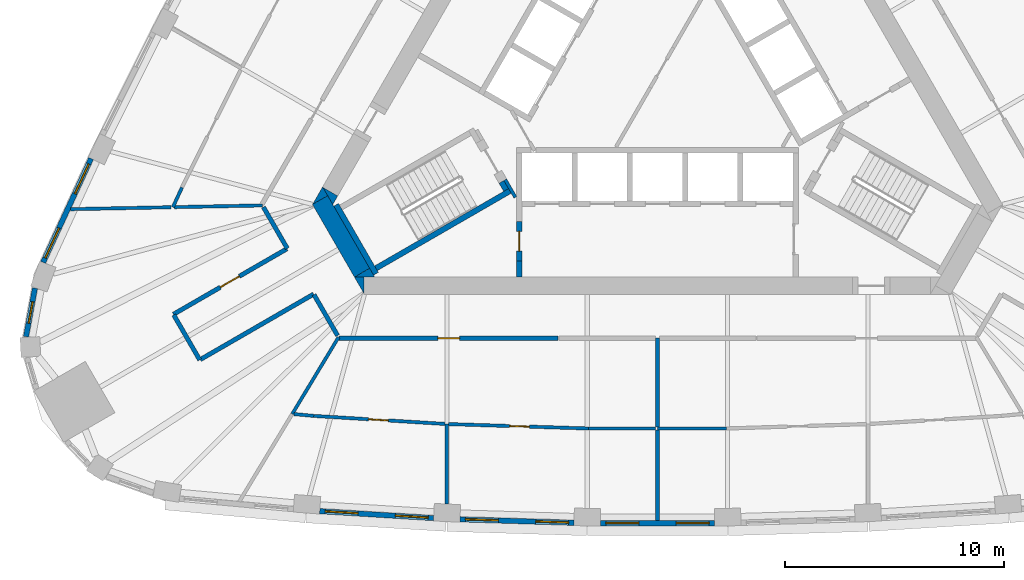
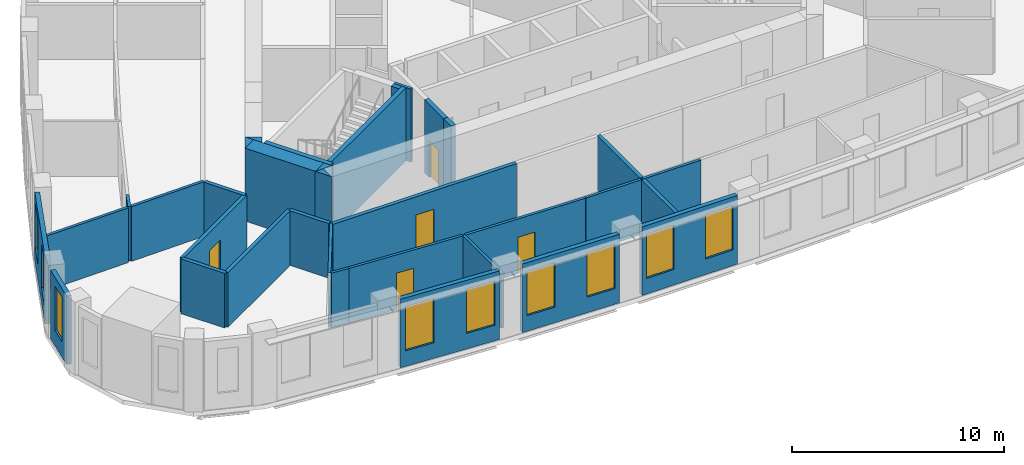
# One storey, part 3 of 10: 34 walls, 9 windows, 5 doors, 14 openings.
"""IFC4 building model written with IfcOpenShell, lengths in metres."""

from ifc_helpers import new_model, si_unit, direction, frame, frame_2d, origin, place, context, subcontext, project, spatial, polyline, rectangle, outline, extrude, material, layer, layer_set, type_object, element, fill, save


model = new_model("IFC4")

# Units and contexts
model_context = context("Model", 3, precision=1e-05, world=origin(), true_north=direction((0.0, 1.0)))
body_context = subcontext(model_context, "Body", "Model", "MODEL_VIEW")
ifc_project = project(units=[si_unit("LENGTHUNIT", "METRE"), si_unit("AREAUNIT", "SQUARE_METRE"), si_unit("VOLUMEUNIT", "CUBIC_METRE"), si_unit("PLANEANGLEUNIT", "RADIAN"), si_unit("MASSUNIT", "GRAM", prefix="KILO")], contexts=[model_context])

# Site, building, storey
site_placement = place(None, origin())
site = spatial("IfcSite", under=ifc_project, at=site_placement, CompositionType="ELEMENT")
building_placement = place(site_placement, origin())
building = spatial("IfcBuilding", under=site, at=building_placement, Name="Mestral Congress Tower", CompositionType="ELEMENT")
storey_placement = place(building_placement, frame((0.0, 0.0, 162.60009765625)))
storey = spatial("IfcBuildingStorey", under=building, at=storey_placement, Name="L38", CompositionType="ELEMENT", Elevation=162.60009765625)

# Walls
ifc_material_1 = material(Name="Concrete C60/75", Category="concrete")
ifc_layer_1 = layer(ifc_material_1, 0.800048828125)
ifc_layer_set_1 = layer_set([ifc_layer_1], Name="Concrete C60/75")
wall_type_1 = type_object("IfcWallType", Name="Core wall RC 800", PredefinedType="SOLIDWALL", material=ifc_layer_set_1)
placement = place(storey_placement, origin())
element("IfcWall", 1, at=placement, inside=storey, type_object=wall_type_1, Name="L38 core wall", PredefinedType="SOLIDWALL", context=body_context, shape_type="SweptSolid", body=[
    extrude(outline(polyline([(-13.82763671875, -9.64990234375), (-13.379638671875, -9.64990234375), (-13.379638671875, -10.42578125), (-13.82763671875, -9.64990234375)])), origin(), (0.0, 0.0, 1.0), 4.199951171875),
])
wall_2_placement = place(storey_placement, frame((-15.38720703125, -6.148193359375, 0.0), z_axis=(0.0, 0.0, 1.0), x_axis=(0.499984020225, -0.866034629516, 0.0)))
element("IfcWall", 2, at=wall_2_placement, inside=storey, type_object=wall_type_1, Name="L38 core wall", PredefinedType="SOLIDWALL", context=body_context, shape_type="SweptSolid", body=[
    extrude(rectangle(XDim=3.824462890625, YDim=0.800048828125, at=frame_2d((1.912109375, 0.0))), origin(), (0.0, 0.0, 1.0), 4.199951171875),
])
element("IfcWall", 3, at=placement, inside=storey, type_object=wall_type_1, Name="L38 core wall", PredefinedType="SOLIDWALL", context=body_context, shape_type="SweptSolid", body=[
    extrude(outline(polyline([(-15.0419921875, -5.946533203125), (-15.728759765625, -6.343017578125), (-15.27099609375, -5.5498046875), (-15.0419921875, -5.946533203125)])), origin(), (0.0, 0.0, 1.0), 4.199951171875),
])
element("IfcWall", 4, at=placement, inside=storey, type_object=wall_type_1, Name="L38 core wall", PredefinedType="SOLIDWALL", context=body_context, shape_type="SweptSolid", body=[
    extrude(outline(polyline([(-12.90380859375, -9.64990234375), (-13.7998046875, -9.64990234375), (-13.127685546875, -9.261962890625), (-12.90380859375, -9.64990234375)])), origin(), (0.0, 0.0, 1.0), 4.199951171875),
])
element("IfcWall", 5, at=placement, inside=storey, type_object=wall_type_1, Name="L38 core wall", PredefinedType="SOLIDWALL", context=body_context, shape_type="SweptSolid", body=[
    extrude(outline(polyline([(-14.80908203125, -6.35009765625), (-15.2568359375, -5.57421875), (-14.5849609375, -5.9619140625), (-14.80908203125, -6.35009765625)])), origin(), (0.0, 0.0, 1.0), 4.199951171875),
])

# Wall, openings, windows
ifc_material_2 = material(Name="Precast concrete C40/50 with limestone facing", Category="masonry")
ifc_layer_2 = layer(ifc_material_2, 0.239990234375)
ifc_layer_set_2 = layer_set([ifc_layer_2], Name="Precast concrete C40/50 with limestone facing")
wall_type_2 = type_object("IfcWallType", Name="Facade stone wall 240", PredefinedType="SOLIDWALL", material=ifc_layer_set_2)
wall_6_placement = place(storey_placement, frame((-15.404541015625, -20.33837890625, 0.0), z_axis=(0.0, 0.0, 1.0), x_axis=(0.998135294646, -0.061040425794, 0.0)))
wall_6 = element("IfcWall", 6, at=wall_6_placement, inside=storey, type_object=wall_type_2, Name="Facade wall F0-01", PredefinedType="SOLIDWALL", context=body_context, shape_type="SweptSolid", body=[
    extrude(rectangle(XDim=5.20361328125, YDim=0.239990234375, at=frame_2d((2.601806640625, 0.0))), origin(), (0.0, 0.0, 1.0), 3.949951171875),
])
opening_1_placement = place(wall_6_placement, frame((0.248291015625, 0.0, 0.89990234375)))
opening_1 = element("IfcOpeningElement", 7, at=opening_1_placement, cuts=wall_6, Name="Opening W4", PredefinedType="OPENING", context=body_context, shape_type="SweptSolid", body=[
    extrude(rectangle(XDim=1.5, YDim=2.550048828125, at=frame_2d((0.75, 1.27490234375))), frame((0.0, 0.1298828125, 0.0), z_axis=(0.0, -1.0, 0.0), x_axis=(1.0, 0.0, 0.0)), (0.0, 0.0, 1.0), 0.260009765625),
])
opening_2_placement = place(wall_6_placement, frame((3.455078125, 0.0, 0.89990234375)))
opening_2 = element("IfcOpeningElement", 8, at=opening_2_placement, cuts=wall_6, Name="Opening W4", PredefinedType="OPENING", context=body_context, shape_type="SweptSolid", body=[
    extrude(rectangle(XDim=1.5, YDim=2.550048828125, at=frame_2d((0.75, 1.27490234375))), frame((0.0, 0.1298828125, 0.0), z_axis=(0.0, -1.0, 0.0), x_axis=(1.0, 0.0, 0.0)), (0.0, 0.0, 1.0), 0.260009765625),
])
ifc_material_3 = material(Name="Clear low-emissivity double glazing", Category="glass")
window_type_1 = type_object("IfcWindowType", Name="Facade punched window 1500 x 2550 sill 900", PartitioningType="SINGLE_PANEL", PredefinedType="WINDOW", material=ifc_material_3)
window_1_placement = place(opening_1_placement, origin())
window_1 = element("IfcWindow", 9, at=window_1_placement, inside=storey, type_object=window_type_1, Name="Window F0-01a", OverallHeight=2.550048828125, OverallWidth=1.5, PartitioningType="SINGLE_PANEL", PredefinedType="WINDOW", context=body_context, shape_type="SweptSolid", body=[
    extrude(rectangle(XDim=1.5, YDim=2.550048828125, at=frame_2d((0.75, 1.27490234375))), frame((0.0, 0.0400390625, 0.0), z_axis=(0.0, -1.0, 0.0), x_axis=(1.0, 0.0, 0.0)), (0.0, 0.0, 1.0), 0.06005859375),
])
fill(opening_1, window_1)
window_2_placement = place(opening_2_placement, origin())
window_2 = element("IfcWindow", 10, at=window_2_placement, inside=storey, type_object=window_type_1, Name="Window F0-01b", OverallHeight=2.550048828125, OverallWidth=1.5, PartitioningType="SINGLE_PANEL", PredefinedType="WINDOW", context=body_context, shape_type="SweptSolid", body=[
    extrude(rectangle(XDim=1.5, YDim=2.550048828125, at=frame_2d((0.75, 1.27490234375))), frame((0.0, 0.0400390625, 0.0), z_axis=(0.0, -1.0, 0.0), x_axis=(1.0, 0.0, 0.0)), (0.0, 0.0, 1.0), 0.06005859375),
])
fill(opening_2, window_2)

wall_7_placement = place(storey_placement, frame((-9.00732421875, -20.7109375, 0.0), z_axis=(0.0, 0.0, 1.0), x_axis=(0.999533441983, -0.030543384845, 0.0)))
wall_7 = element("IfcWall", 11, at=wall_7_placement, inside=storey, type_object=wall_type_2, Name="Facade wall F0-02", PredefinedType="SOLIDWALL", context=body_context, shape_type="SweptSolid", body=[
    extrude(rectangle(XDim=5.20361328125, YDim=0.239990234375, at=frame_2d((2.601806640625, 0.0))), origin(), (0.0, 0.0, 1.0), 3.949951171875),
])
opening_3_placement = place(wall_7_placement, frame((0.248291015625, 0.0, 0.89990234375)))
opening_3 = element("IfcOpeningElement", 12, at=opening_3_placement, cuts=wall_7, Name="Opening W4", PredefinedType="OPENING", context=body_context, shape_type="SweptSolid", body=[
    extrude(rectangle(XDim=1.5, YDim=2.550048828125, at=frame_2d((0.75, 1.27490234375))), frame((0.0, 0.1298828125, 0.0), z_axis=(0.0, -1.0, 0.0), x_axis=(1.0, 0.0, 0.0)), (0.0, 0.0, 1.0), 0.260009765625),
])
opening_4_placement = place(wall_7_placement, frame((3.455078125, 0.0, 0.89990234375)))
opening_4 = element("IfcOpeningElement", 13, at=opening_4_placement, cuts=wall_7, Name="Opening W4", PredefinedType="OPENING", context=body_context, shape_type="SweptSolid", body=[
    extrude(rectangle(XDim=1.5, YDim=2.550048828125, at=frame_2d((0.75, 1.27490234375))), frame((0.0, 0.1298828125, 0.0), z_axis=(0.0, -1.0, 0.0), x_axis=(1.0, 0.0, 0.0)), (0.0, 0.0, 1.0), 0.260009765625),
])
window_3_placement = place(opening_3_placement, origin())
window_3 = element("IfcWindow", 14, at=window_3_placement, inside=storey, type_object=window_type_1, Name="Window F0-02a", OverallHeight=2.550048828125, OverallWidth=1.5, PartitioningType="SINGLE_PANEL", PredefinedType="WINDOW", context=body_context, shape_type="SweptSolid", body=[
    extrude(rectangle(XDim=1.5, YDim=2.550048828125, at=frame_2d((0.75, 1.27490234375))), frame((0.0, 0.0400390625, 0.0), z_axis=(0.0, -1.0, 0.0), x_axis=(1.0, 0.0, 0.0)), (0.0, 0.0, 1.0), 0.06005859375),
])
fill(opening_3, window_3)
window_4_placement = place(opening_4_placement, origin())
window_4 = element("IfcWindow", 15, at=window_4_placement, inside=storey, type_object=window_type_1, Name="Window F0-02b", OverallHeight=2.550048828125, OverallWidth=1.5, PartitioningType="SINGLE_PANEL", PredefinedType="WINDOW", context=body_context, shape_type="SweptSolid", body=[
    extrude(rectangle(XDim=1.5, YDim=2.550048828125, at=frame_2d((0.75, 1.27490234375))), frame((0.0, 0.0400390625, 0.0), z_axis=(0.0, -1.0, 0.0), x_axis=(1.0, 0.0, 0.0)), (0.0, 0.0, 1.0), 0.06005859375),
])
fill(opening_4, window_4)

wall_8_placement = place(storey_placement, frame((-2.601806640625, -20.88818359375, 0.0), z_axis=(0.0, 0.0, 1.0), x_axis=(1.0, 0.0, 0.0)))
wall_8 = element("IfcWall", 16, at=wall_8_placement, inside=storey, type_object=wall_type_2, Name="Facade wall F0-03", PredefinedType="SOLIDWALL", context=body_context, shape_type="SweptSolid", body=[
    extrude(rectangle(XDim=5.20361328125, YDim=0.239990234375, at=frame_2d((2.601806640625, 0.0))), origin(), (0.0, 0.0, 1.0), 3.949951171875),
])
opening_5_placement = place(wall_8_placement, frame((0.248291015625, 0.0, 0.89990234375)))
opening_5 = element("IfcOpeningElement", 17, at=opening_5_placement, cuts=wall_8, Name="Opening W4", PredefinedType="OPENING", context=body_context, shape_type="SweptSolid", body=[
    extrude(rectangle(XDim=1.5, YDim=2.550048828125, at=frame_2d((0.75, 1.27490234375))), frame((0.0, 0.1298828125, 0.0), z_axis=(0.0, -1.0, 0.0), x_axis=(1.0, 0.0, 0.0)), (0.0, 0.0, 1.0), 0.260009765625),
])
opening_6_placement = place(wall_8_placement, frame((3.455078125, 0.0, 0.89990234375)))
opening_6 = element("IfcOpeningElement", 18, at=opening_6_placement, cuts=wall_8, Name="Opening W4", PredefinedType="OPENING", context=body_context, shape_type="SweptSolid", body=[
    extrude(rectangle(XDim=1.5, YDim=2.550048828125, at=frame_2d((0.75, 1.27490234375))), frame((0.0, 0.1298828125, 0.0), z_axis=(0.0, -1.0, 0.0), x_axis=(1.0, 0.0, 0.0)), (0.0, 0.0, 1.0), 0.260009765625),
])
window_5_placement = place(opening_5_placement, origin())
window_5 = element("IfcWindow", 19, at=window_5_placement, inside=storey, type_object=window_type_1, Name="Window F0-03a", OverallHeight=2.550048828125, OverallWidth=1.5, PartitioningType="SINGLE_PANEL", PredefinedType="WINDOW", context=body_context, shape_type="SweptSolid", body=[
    extrude(rectangle(XDim=1.5, YDim=2.550048828125, at=frame_2d((0.75, 1.27490234375))), frame((0.0, 0.0400390625, 0.0), z_axis=(0.0, -1.0, 0.0), x_axis=(1.0, 0.0, 0.0)), (0.0, 0.0, 1.0), 0.06005859375),
])
fill(opening_5, window_5)
window_6_placement = place(opening_6_placement, origin())
window_6 = element("IfcWindow", 20, at=window_6_placement, inside=storey, type_object=window_type_1, Name="Window F0-03b", OverallHeight=2.550048828125, OverallWidth=1.5, PartitioningType="SINGLE_PANEL", PredefinedType="WINDOW", context=body_context, shape_type="SweptSolid", body=[
    extrude(rectangle(XDim=1.5, YDim=2.550048828125, at=frame_2d((0.75, 1.27490234375))), frame((0.0, 0.0400390625, 0.0), z_axis=(0.0, -1.0, 0.0), x_axis=(1.0, 0.0, 0.0)), (0.0, 0.0, 1.0), 0.06005859375),
])
fill(opening_6, window_6)

wall_9_placement = place(storey_placement, frame((-25.8369140625, -4.2578125, 0.0), z_axis=(0.0, 0.0, 1.0), x_axis=(-0.418722559465, -0.908114209885, 0.0)))
wall_9 = element("IfcWall", 21, at=wall_9_placement, inside=storey, type_object=wall_type_2, Name="Facade wall F2-06", PredefinedType="SOLIDWALL", context=body_context, shape_type="SweptSolid", body=[
    extrude(rectangle(XDim=5.213134765625, YDim=0.239990234375, at=frame_2d((2.6064453125, 0.0))), origin(), (0.0, 0.0, 1.0), 3.949951171875),
])
opening_7_placement = place(wall_9_placement, frame((0.2607421875, 0.0, 0.89990234375)))
opening_7 = element("IfcOpeningElement", 22, at=opening_7_placement, cuts=wall_9, Name="Opening W4", PredefinedType="OPENING", context=body_context, shape_type="SweptSolid", body=[
    extrude(rectangle(XDim=1.5, YDim=2.550048828125, at=frame_2d((0.75, 1.27490234375))), frame((0.0, 0.1298828125, 0.0), z_axis=(0.0, -1.0, 0.0), x_axis=(1.0, 0.0, 0.0)), (0.0, 0.0, 1.0), 0.260009765625),
])
opening_8_placement = place(wall_9_placement, frame((3.492431640625, 0.0, 0.89990234375)))
opening_8 = element("IfcOpeningElement", 23, at=opening_8_placement, cuts=wall_9, Name="Opening W4", PredefinedType="OPENING", context=body_context, shape_type="SweptSolid", body=[
    extrude(rectangle(XDim=1.5, YDim=2.550048828125, at=frame_2d((0.75, 1.27490234375))), frame((0.0, 0.1298828125, 0.0), z_axis=(0.0, -1.0, 0.0), x_axis=(1.0, 0.0, 0.0)), (0.0, 0.0, 1.0), 0.260009765625),
])
window_7_placement = place(opening_7_placement, origin())
window_7 = element("IfcWindow", 24, at=window_7_placement, inside=storey, type_object=window_type_1, Name="Window F2-06a", OverallHeight=2.550048828125, OverallWidth=1.5, PartitioningType="SINGLE_PANEL", PredefinedType="WINDOW", context=body_context, shape_type="SweptSolid", body=[
    extrude(rectangle(XDim=1.5, YDim=2.550048828125, at=frame_2d((0.75, 1.27490234375))), frame((0.0, 0.0400390625, 0.0), z_axis=(0.0, -1.0, 0.0), x_axis=(1.0, 0.0, 0.0)), (0.0, 0.0, 1.0), 0.06005859375),
])
fill(opening_7, window_7)
window_8_placement = place(opening_8_placement, origin())
window_8 = element("IfcWindow", 25, at=window_8_placement, inside=storey, type_object=window_type_1, Name="Window F2-06b", OverallHeight=2.550048828125, OverallWidth=1.5, PartitioningType="SINGLE_PANEL", PredefinedType="WINDOW", context=body_context, shape_type="SweptSolid", body=[
    extrude(rectangle(XDim=1.5, YDim=2.550048828125, at=frame_2d((0.75, 1.27490234375))), frame((0.0, 0.0400390625, 0.0), z_axis=(0.0, -1.0, 0.0), x_axis=(1.0, 0.0, 0.0)), (0.0, 0.0, 1.0), 0.06005859375),
])
fill(opening_8, window_8)

# Wall, opening, window
wall_10_placement = place(storey_placement, frame((-28.392578125, -10.166748046875, 0.0), z_axis=(0.0, 0.0, 1.0), x_axis=(-0.180737189259, -0.983531427265, 0.0)))
wall_10 = element("IfcWall", 26, at=wall_10_placement, inside=storey, type_object=wall_type_2, Name="Facade wall K2-0", PredefinedType="SOLIDWALL", context=body_context, shape_type="SweptSolid", body=[
    extrude(rectangle(XDim=2.25048828125, YDim=0.239990234375, at=frame_2d((1.125244140625, 0.0))), origin(), (0.0, 0.0, 1.0), 3.949951171875),
])
opening_9_placement = place(wall_10_placement, frame((0.625244140625, 0.0, 0.89990234375)))
opening_9 = element("IfcOpeningElement", 27, at=opening_9_placement, cuts=wall_10, Name="Opening W5", PredefinedType="OPENING", context=body_context, shape_type="SweptSolid", body=[
    extrude(rectangle(XDim=1.0, YDim=2.550048828125, at=frame_2d((0.5, 1.27490234375))), frame((0.0, 0.1298828125, 0.0), z_axis=(0.0, -1.0, 0.0), x_axis=(1.0, 0.0, 0.0)), (0.0, 0.0, 1.0), 0.260009765625),
])
window_type_2 = type_object("IfcWindowType", Name="Facade punched window 1000 x 2550 sill 900", PartitioningType="SINGLE_PANEL", PredefinedType="WINDOW", material=ifc_material_3)
window_9_placement = place(opening_9_placement, origin())
window_9 = element("IfcWindow", 28, at=window_9_placement, inside=storey, type_object=window_type_2, Name="Window K2-0", OverallHeight=2.550048828125, OverallWidth=1.0, PartitioningType="SINGLE_PANEL", PredefinedType="WINDOW", context=body_context, shape_type="SweptSolid", body=[
    extrude(rectangle(XDim=1.0, YDim=2.550048828125, at=frame_2d((0.5, 1.27490234375))), frame((0.0, 0.0400390625, 0.0), z_axis=(0.0, -1.0, 0.0), x_axis=(1.0, 0.0, 0.0)), (0.0, 0.0, 1.0), 0.06005859375),
])
fill(opening_9, window_9)

# Walls
ifc_material_4 = material(Name="Plasterboard partition on steel studs", Category="steel")
ifc_layer_3 = layer(ifc_material_4, 0.14990234375)
ifc_layer_set_3 = layer_set([ifc_layer_3], Name="Plasterboard partition on steel studs")
wall_type_3 = type_object("IfcWallType", Name="Office partition 150", PredefinedType="PARTITIONING", material=ifc_layer_set_3)
wall_11_placement = place(storey_placement, frame((0.0, -16.568115234375, 0.0), z_axis=(0.0, 0.0, 1.0), x_axis=(1.0, 0.0, 0.0)))
element("IfcWall", 29, at=wall_11_placement, inside=storey, type_object=wall_type_3, Name="Partition", PredefinedType="PARTITIONING", context=body_context, shape_type="SweptSolid", body=[
    extrude(rectangle(XDim=3.13818359375, YDim=0.14990234375, at=frame_2d((1.569091796875, 0.0))), origin(), (0.0, 0.0, 1.0), 3.14990234375),
])
wall_12_placement = place(storey_placement, frame((-21.689208984375, -5.579345703125, 0.0), z_axis=(0.0, 0.0, 1.0), x_axis=(-0.418649696334, -0.908147802816, 0.0)))
element("IfcWall", 30, at=wall_12_placement, inside=storey, type_object=wall_type_3, Name="Partition", PredefinedType="PARTITIONING", context=body_context, shape_type="SweptSolid", body=[
    extrude(rectangle(XDim=0.985595703125, YDim=0.14990234375, at=frame_2d((0.49267578125, 0.0))), origin(), (0.0, 0.0, 1.0), 3.14990234375),
])
wall_13_placement = place(storey_placement, frame((-22.185302734375, -6.47607421875, 0.0), z_axis=(0.0, 0.0, 1.0), x_axis=(-0.999810025733, -0.019491342784, 0.0)))
element("IfcWall", 31, at=wall_13_placement, inside=storey, type_object=wall_type_3, Name="Partition", PredefinedType="PARTITIONING", context=body_context, shape_type="SweptSolid", body=[
    extrude(rectangle(XDim=4.58447265625, YDim=0.14990234375, at=frame_2d((2.292236328125, 0.0))), origin(), (0.0, 0.0, 1.0), 3.14990234375),
])
wall_14_placement = place(storey_placement, frame((-18.016357421875, -6.39453125, 0.0), z_axis=(0.0, 0.0, 1.0), x_axis=(-0.999809528944, -0.019516808959, 0.0)))
element("IfcWall", 32, at=wall_14_placement, inside=storey, type_object=wall_type_3, Name="Partition", PredefinedType="PARTITIONING", context=body_context, shape_type="SweptSolid", body=[
    extrude(rectangle(XDim=4.0029296875, YDim=0.14990234375, at=frame_2d((2.00146484375, 0.0))), origin(), (0.0, 0.0, 1.0), 3.14990234375),
])
wall_15_placement = place(storey_placement, frame((-14.546142578125, -12.405517578125, 0.0), z_axis=(0.0, 0.0, 1.0), x_axis=(-0.516811321583, -0.856099327113, 0.0)))
element("IfcWall", 33, at=wall_15_placement, inside=storey, type_object=wall_type_3, Name="Partition", PredefinedType="PARTITIONING", context=body_context, shape_type="SweptSolid", body=[
    extrude(rectangle(XDim=4.090087890625, YDim=0.14990234375, at=frame_2d((2.044921875, 0.0))), origin(), (0.0, 0.0, 1.0), 3.14990234375),
])
wall_16_placement = place(storey_placement, frame((-9.6171875, -16.364013671875, 0.0), z_axis=(0.0, 0.0, 1.0), x_axis=(0.0, -1.0, 0.0)))
element("IfcWall", 34, at=wall_16_placement, inside=storey, type_object=wall_type_3, Name="Partition", PredefinedType="PARTITIONING", context=body_context, shape_type="SweptSolid", body=[
    extrude(rectangle(XDim=3.6474609375, YDim=0.14990234375, at=frame_2d((1.82373046875, 0.0))), origin(), (0.0, 0.0, 1.0), 3.14990234375),
])
wall_17_placement = place(storey_placement, frame((-16.574951171875, -15.9111328125, 0.0), z_axis=(0.0, 0.0, 1.0), x_axis=(0.995808489615, -0.09146284497, 0.0)))
element("IfcWall", 35, at=wall_17_placement, inside=storey, type_object=wall_type_3, Name="Partition", PredefinedType="PARTITIONING", context=body_context, shape_type="SweptSolid", body=[
    extrude(rectangle(XDim=0.902099609375, YDim=0.14990234375, at=frame_2d((0.451171875, 0.0))), origin(), (0.0, 0.0, 1.0), 3.14990234375),
])

# Wall, opening, door
wall_18_placement = place(storey_placement, frame((-9.692138671875, -16.359619140625, 0.0), z_axis=(0.0, 0.0, 1.0), x_axis=(-0.998135339661, 0.061039689709, 0.0)))
wall_18 = element("IfcWall", 36, at=wall_18_placement, inside=storey, type_object=wall_type_3, Name="Partition", PredefinedType="PARTITIONING", context=body_context, shape_type="SweptSolid", body=[
    extrude(rectangle(XDim=5.99560546875, YDim=0.14990234375, at=frame_2d((2.997802734375, 0.0))), origin(), (0.0, 0.0, 1.0), 3.14990234375),
])
opening_10_placement = place(wall_18_placement, frame((2.595458984375, 0.0, 0.0)))
opening_10 = element("IfcOpeningElement", 37, at=opening_10_placement, cuts=wall_18, Name="Opening O02-019", PredefinedType="OPENING", context=body_context, shape_type="SweptSolid", body=[
    extrude(rectangle(XDim=0.89990234375, YDim=2.10009765625, at=frame_2d((0.449951171875, 1.050048828125))), frame((0.0, 0.0849609375, 0.0), z_axis=(0.0, -1.0, 0.0), x_axis=(1.0, 0.0, 0.0)), (0.0, 0.0, 1.0), 0.169921875),
])
ifc_material_5 = material(Name="Timber door set", Category="wood")
door_type_1 = type_object("IfcDoorType", Name="Office door 900x2100", OperationType="SINGLE_SWING_LEFT", PredefinedType="DOOR", material=ifc_material_5)
door_1_placement = place(opening_10_placement, origin())
door_1 = element("IfcDoor", 38, at=door_1_placement, inside=storey, type_object=door_type_1, Name="Door O02-019", OperationType="SINGLE_SWING_RIGHT", OverallHeight=2.10009765625, OverallWidth=0.89990234375, PredefinedType="DOOR", context=body_context, shape_type="SweptSolid", body=[
    extrude(rectangle(XDim=0.89990234375, YDim=2.10009765625, at=frame_2d((0.449951171875, 1.050048828125))), frame((0.0, 0.02490234375, 0.0), z_axis=(0.0, -1.0, 0.0), x_axis=(1.0, 0.0, 0.0)), (0.0, 0.0, 1.0), 0.050048828125),
])
fill(opening_10, door_1)

wall_19_placement = place(storey_placement, frame((-3.13818359375, -16.568115234375, 0.0), z_axis=(0.0, 0.0, 1.0), x_axis=(-0.999504575396, 0.031473858384, 0.0)))
wall_19 = element("IfcWall", 39, at=wall_19_placement, inside=storey, type_object=wall_type_3, Name="Partition", PredefinedType="PARTITIONING", context=body_context, shape_type="SweptSolid", body=[
    extrude(rectangle(XDim=6.4072265625, YDim=0.14990234375, at=frame_2d((3.20361328125, 0.0))), origin(), (0.0, 0.0, 1.0), 3.14990234375),
])
opening_11_placement = place(wall_19_placement, frame((2.707275390625, 0.0, 0.0)))
opening_11 = element("IfcOpeningElement", 40, at=opening_11_placement, cuts=wall_19, Name="Opening O02-020", PredefinedType="OPENING", context=body_context, shape_type="SweptSolid", body=[
    extrude(rectangle(XDim=0.89990234375, YDim=2.10009765625, at=frame_2d((0.449951171875, 1.050048828125))), frame((0.0, 0.0849609375, 0.0), z_axis=(0.0, -1.0, 0.0), x_axis=(1.0, 0.0, 0.0)), (0.0, 0.0, 1.0), 0.169921875),
])
door_2_placement = place(opening_11_placement, origin())
door_2 = element("IfcDoor", 41, at=door_2_placement, inside=storey, type_object=door_type_1, Name="Door O02-020", OperationType="SINGLE_SWING_LEFT", OverallHeight=2.10009765625, OverallWidth=0.89990234375, PredefinedType="DOOR", context=body_context, shape_type="SweptSolid", body=[
    extrude(rectangle(XDim=0.89990234375, YDim=2.10009765625, at=frame_2d((0.449951171875, 1.050048828125))), frame((0.0, 0.02490234375, 0.0), z_axis=(0.0, -1.0, 0.0), x_axis=(1.0, 0.0, 0.0)), (0.0, 0.0, 1.0), 0.050048828125),
])
fill(opening_11, door_2)

# Walls
wall_20_placement = place(storey_placement, frame((-3.13818359375, -16.568115234375, 0.0), z_axis=(0.0, 0.0, 1.0), x_axis=(1.0, 0.0, 0.0)))
element("IfcWall", 42, at=wall_20_placement, inside=storey, type_object=wall_type_3, Name="Partition", PredefinedType="PARTITIONING", context=body_context, shape_type="SweptSolid", body=[
    extrude(rectangle(XDim=3.0380859375, YDim=0.14990234375, at=frame_2d((1.51904296875, 0.0))), origin(), (0.0, 0.0, 1.0), 3.14990234375),
])
ifc_material_6 = material(Name="Dense masonry wall, plastered", Category="masonry")
ifc_layer_4 = layer(ifc_material_6, 0.199951171875)
ifc_layer_set_4 = layer_set([ifc_layer_4], Name="Dense masonry wall, plastered")
wall_type_4 = type_object("IfcWallType", Name="Office tenancy wall 200", PredefinedType="PARTITIONING", material=ifc_layer_set_4)
wall_21_placement = place(storey_placement, frame((0.0, -20.768310546875, 0.0), z_axis=(0.0, 0.0, 1.0), x_axis=(0.0, 1.0, 0.0)))
element("IfcWall", 43, at=wall_21_placement, inside=storey, type_object=wall_type_4, Name="Tenancy wall", PredefinedType="PARTITIONING", context=body_context, shape_type="SweptSolid", body=[
    extrude(rectangle(XDim=4.125, YDim=0.199951171875, at=frame_2d((2.0625, 0.0))), origin(), (0.0, 0.0, 1.0), 3.14990234375),
])
wall_22_placement = place(storey_placement, frame((0.0, -16.4931640625, 0.0), z_axis=(0.0, 0.0, 1.0), x_axis=(0.0, 1.0, 0.0)))
element("IfcWall", 44, at=wall_22_placement, inside=storey, type_object=wall_type_4, Name="Tenancy wall", PredefinedType="PARTITIONING", context=body_context, shape_type="SweptSolid", body=[
    extrude(rectangle(XDim=4.043212890625, YDim=0.199951171875, at=frame_2d((2.021484375, 0.0))), origin(), (0.0, 0.0, 1.0), 3.14990234375),
])
wall_23_placement = place(storey_placement, frame((-17.9736328125, -6.46875, 0.0), z_axis=(0.0, 0.0, 1.0), x_axis=(0.499961062019, -0.866047883471, 0.0)))
element("IfcWall", 45, at=wall_23_placement, inside=storey, type_object=wall_type_4, Name="Tenancy wall", PredefinedType="PARTITIONING", context=body_context, shape_type="SweptSolid", body=[
    extrude(rectangle(XDim=2.184814453125, YDim=0.199951171875, at=frame_2d((1.09228515625, 0.0))), origin(), (0.0, 0.0, 1.0), 3.14990234375),
])

# Wall, opening, door
wall_24_placement = place(storey_placement, frame((-16.9072265625, -8.375732421875, 0.0), z_axis=(0.0, 0.0, 1.0), x_axis=(-0.866017375886, -0.50001390447, 0.0)))
wall_24 = element("IfcWall", 46, at=wall_24_placement, inside=storey, type_object=wall_type_4, Name="Tenancy wall", PredefinedType="PARTITIONING", context=body_context, shape_type="SweptSolid", body=[
    extrude(rectangle(XDim=5.969970703125, YDim=0.199951171875, at=frame_2d((2.98486328125, 0.0))), origin(), (0.0, 0.0, 1.0), 3.14990234375),
])
opening_12_placement = place(wall_24_placement, frame((2.5, 0.0, 0.0)))
opening_12 = element("IfcOpeningElement", 47, at=opening_12_placement, cuts=wall_24, Name="Opening O02-018", PredefinedType="OPENING", context=body_context, shape_type="SweptSolid", body=[
    extrude(rectangle(XDim=1.0, YDim=2.10009765625, at=frame_2d((0.5, 1.050048828125))), frame((0.0, 0.10986328125, 0.0), z_axis=(0.0, -1.0, 0.0), x_axis=(1.0, 0.0, 0.0)), (0.0, 0.0, 1.0), 0.219970703125),
])
ifc_material_7 = material(Name="Fire-rated timber door set", Category="wood")
door_type_2 = type_object("IfcDoorType", Name="Office tenancy entrance door 1000x2100", OperationType="SINGLE_SWING_LEFT", PredefinedType="DOOR", material=ifc_material_7)
door_3_placement = place(opening_12_placement, origin())
door_3 = element("IfcDoor", 48, at=door_3_placement, inside=storey, type_object=door_type_2, Name="Door O02-018", OperationType="SINGLE_SWING_RIGHT", OverallHeight=2.10009765625, OverallWidth=1.0, PredefinedType="DOOR", context=body_context, shape_type="SweptSolid", body=[
    extrude(rectangle(XDim=1.0, YDim=2.10009765625, at=frame_2d((0.5, 1.050048828125))), frame((0.0, 0.02490234375, 0.0), z_axis=(0.0, -1.0, 0.0), x_axis=(1.0, 0.0, 0.0)), (0.0, 0.0, 1.0), 0.050048828125),
])
fill(opening_12, door_3)

# Walls
wall_25_placement = place(storey_placement, frame((-22.0625, -11.38671875, 0.0), z_axis=(0.0, 0.0, 1.0), x_axis=(0.5000167099, -0.866015756104, 0.0)))
element("IfcWall", 49, at=wall_25_placement, inside=storey, type_object=wall_type_4, Name="Tenancy wall", PredefinedType="PARTITIONING", context=body_context, shape_type="SweptSolid", body=[
    extrude(rectangle(XDim=2.3701171875, YDim=0.199951171875, at=frame_2d((1.18505859375, 0.0))), origin(), (0.0, 0.0, 1.0), 3.14990234375),
])
wall_26_placement = place(storey_placement, frame((-20.851318359375, -13.42431640625, 0.0), z_axis=(0.0, 0.0, 1.0), x_axis=(0.866007151214, 0.500031613047, 0.0)))
element("IfcWall", 50, at=wall_26_placement, inside=storey, type_object=wall_type_4, Name="Tenancy wall", PredefinedType="PARTITIONING", context=body_context, shape_type="SweptSolid", body=[
    extrude(rectangle(XDim=5.9697265625, YDim=0.199951171875, at=frame_2d((2.98486328125, 0.0))), origin(), (0.0, 0.0, 1.0), 3.14990234375),
])
wall_27_placement = place(storey_placement, frame((-15.666259765625, -10.465087890625, 0.0), z_axis=(0.0, 0.0, 1.0), x_axis=(0.499977443261, -0.866038426532, 0.0)))
element("IfcWall", 51, at=wall_27_placement, inside=storey, type_object=wall_type_4, Name="Tenancy wall", PredefinedType="PARTITIONING", context=body_context, shape_type="SweptSolid", body=[
    extrude(rectangle(XDim=2.15478515625, YDim=0.199951171875, at=frame_2d((1.077392578125, 0.0))), origin(), (0.0, 0.0, 1.0), 3.14990234375),
])

# Wall, opening, door
wall_28_placement = place(storey_placement, frame((-14.5205078125, -12.449951171875, 0.0), z_axis=(0.0, 0.0, 1.0), x_axis=(1.0, 0.0, 0.0)))
wall_28 = element("IfcWall", 52, at=wall_28_placement, inside=storey, type_object=wall_type_4, Name="Tenancy wall", PredefinedType="PARTITIONING", context=body_context, shape_type="SweptSolid", body=[
    extrude(rectangle(XDim=9.990478515625, YDim=0.199951171875, at=frame_2d((4.9951171875, 0.0))), origin(), (0.0, 0.0, 1.0), 3.14990234375),
])
opening_13_placement = place(wall_28_placement, frame((4.5, 0.0, 0.0)))
opening_13 = element("IfcOpeningElement", 53, at=opening_13_placement, cuts=wall_28, Name="Opening O02-021", PredefinedType="OPENING", context=body_context, shape_type="SweptSolid", body=[
    extrude(rectangle(XDim=1.0, YDim=2.10009765625, at=frame_2d((0.5, 1.050048828125))), frame((0.0, 0.10986328125, 0.0), z_axis=(0.0, -1.0, 0.0), x_axis=(1.0, 0.0, 0.0)), (0.0, 0.0, 1.0), 0.219970703125),
])
door_4_placement = place(opening_13_placement, origin())
door_4 = element("IfcDoor", 54, at=door_4_placement, inside=storey, type_object=door_type_2, Name="Door O02-021", OperationType="SINGLE_SWING_RIGHT", OverallHeight=2.10009765625, OverallWidth=1.0, PredefinedType="DOOR", context=body_context, shape_type="SweptSolid", body=[
    extrude(rectangle(XDim=1.0, YDim=2.10009765625, at=frame_2d((0.5, 1.050048828125))), frame((0.0, 0.02490234375, 0.0), z_axis=(0.0, -1.0, 0.0), x_axis=(1.0, 0.0, 0.0)), (0.0, 0.0, 1.0), 0.050048828125),
])
fill(opening_13, door_4)

# Wall
ifc_layer_5 = layer(ifc_material_1, 0.25)
ifc_layer_set_5 = layer_set([ifc_layer_5], Name="Concrete C60/75")
wall_type_5 = type_object("IfcWallType", Name="Shaft wall RC 250", PredefinedType="SOLIDWALL", material=ifc_layer_set_5)
wall_29_placement = place(storey_placement, frame((-6.300048828125, -8.9248046875, 0.0), z_axis=(0.0, 0.0, 1.0), x_axis=(0.0, -1.0, 0.0)))
element("IfcWall", 55, at=wall_29_placement, inside=storey, type_object=wall_type_5, Name="L38 core wall", PredefinedType="SOLIDWALL", context=body_context, shape_type="SweptSolid", body=[
    extrude(rectangle(XDim=0.72509765625, YDim=0.25, at=frame_2d((0.362548828125, 0.0))), origin(), (0.0, 0.0, 1.0), 4.199951171875),
])

# Wall, opening, door
wall_30_placement = place(storey_placement, frame((-6.300048828125, -7.12451171875, 0.0), z_axis=(0.0, 0.0, 1.0), x_axis=(0.0, -1.0, 0.0)))
wall_30 = element("IfcWall", 56, at=wall_30_placement, inside=storey, type_object=wall_type_5, Name="L38 door wall", PredefinedType="SOLIDWALL", context=body_context, shape_type="SweptSolid", body=[
    extrude(rectangle(XDim=1.800048828125, YDim=0.25, at=frame_2d((0.89990234375, 0.0))), origin(), (0.0, 0.0, 1.0), 4.199951171875),
])
opening_14_placement = place(wall_30_placement, frame((0.449951171875, 0.0, 0.0)))
opening_14 = element("IfcOpeningElement", 57, at=opening_14_placement, cuts=wall_30, Name="Opening TD3", PredefinedType="OPENING", context=body_context, shape_type="SweptSolid", body=[
    extrude(rectangle(XDim=0.89990234375, YDim=2.10009765625, at=frame_2d((0.449951171875, 1.050048828125))), frame((0.0, 0.135009765625, 0.0), z_axis=(0.0, -1.0, 0.0), x_axis=(1.0, 0.0, 0.0)), (0.0, 0.0, 1.0), 0.27001953125),
])
ifc_material_8 = material(Name="Fire-rated steel door set", Category="steel")
door_type_3 = type_object("IfcDoorType", Name="Core door SR 900x2100", OperationType="SINGLE_SWING_LEFT", PredefinedType="DOOR", material=ifc_material_8)
door_5_placement = place(opening_14_placement, origin())
door_5 = element("IfcDoor", 58, at=door_5_placement, inside=storey, type_object=door_type_3, Name="Door TD3", OperationType="SINGLE_SWING_LEFT", OverallHeight=2.10009765625, OverallWidth=0.89990234375, PredefinedType="DOOR", context=body_context, shape_type="SweptSolid", body=[
    extrude(rectangle(XDim=0.89990234375, YDim=2.10009765625, at=frame_2d((0.449951171875, 1.050048828125))), frame((0.0, 0.02490234375, 0.0), z_axis=(0.0, -1.0, 0.0), x_axis=(1.0, 0.0, 0.0)), (0.0, 0.0, 1.0), 0.050048828125),
])
fill(opening_14, door_5)

# Walls
ifc_layer_6 = layer(ifc_material_1, 0.14990234375)
ifc_layer_set_6 = layer_set([ifc_layer_6], Name="Concrete C60/75")
wall_type_6 = type_object("IfcWallType", Name="Shaft wall RC 250 door-wall 150", PredefinedType="SOLIDWALL", material=ifc_layer_set_6)
wall_31_placement = place(storey_placement, frame((-6.48046875, -6.026611328125, 0.0), z_axis=(0.0, 0.0, 1.0), x_axis=(-0.499927229454, 0.866067413802, 0.0)))
element("IfcWall", 59, at=wall_31_placement, inside=storey, type_object=wall_type_6, Name="L38 core wall", PredefinedType="PARTITIONING", context=body_context, shape_type="SweptSolid", body=[
    extrude(rectangle(XDim=0.928955078125, YDim=0.14990234375, at=frame_2d((0.46435546875, 0.0))), origin(), (0.0, 0.0, 1.0), 4.199951171875),
])
ifc_layer_7 = layer(ifc_material_1, 0.25)
ifc_layer_set_7 = layer_set([ifc_layer_7], Name="Concrete C60/75")
wall_type_7 = type_object("IfcWallType", Name="Stair wall RC 250", PredefinedType="SOLIDWALL", material=ifc_layer_set_7)
wall_32_placement = place(storey_placement, frame((-12.839599609375, -9.510986328125, 0.0), z_axis=(0.0, 0.0, 1.0), x_axis=(-0.499997733992, 0.866026712061, 0.0)))
element("IfcWall", 60, at=wall_32_placement, inside=storey, type_object=wall_type_7, Name="L38 core wall", PredefinedType="SOLIDWALL", context=body_context, shape_type="SweptSolid", body=[
    extrude(rectangle(XDim=3.6337890625, YDim=0.25, at=frame_2d((1.81689453125, 0.0))), origin(), (0.0, 0.0, 1.0), 4.199951171875),
])
wall_33_placement = place(storey_placement, frame((-12.83984375, -9.2607421875, 0.0), z_axis=(0.0, 0.0, 1.0), x_axis=(0.866016039709, 0.500016218704, 0.0)))
element("IfcWall", 61, at=wall_33_placement, inside=storey, type_object=wall_type_7, Name="L38 core wall", PredefinedType="SOLIDWALL", context=body_context, shape_type="SweptSolid", body=[
    extrude(rectangle(XDim=7.050048828125, YDim=0.25, at=frame_2d((3.52490234375, 0.0))), origin(), (0.0, 0.0, 1.0), 4.199951171875),
])
wall_34_placement = place(storey_placement, frame((-6.905029296875, -5.68994140625, 0.0), z_axis=(0.0, 0.0, 1.0), x_axis=(-0.500402024738, 0.865793170242, 0.0)))
element("IfcWall", 62, at=wall_34_placement, inside=storey, type_object=wall_type_7, Name="L38 core wall", PredefinedType="SOLIDWALL", context=body_context, shape_type="SweptSolid", body=[
    extrude(rectangle(XDim=0.425048828125, YDim=0.25, at=frame_2d((0.21240234375, 0.0))), origin(), (0.0, 0.0, 1.0), 4.199951171875),
])

save(model, "model.ifc")
